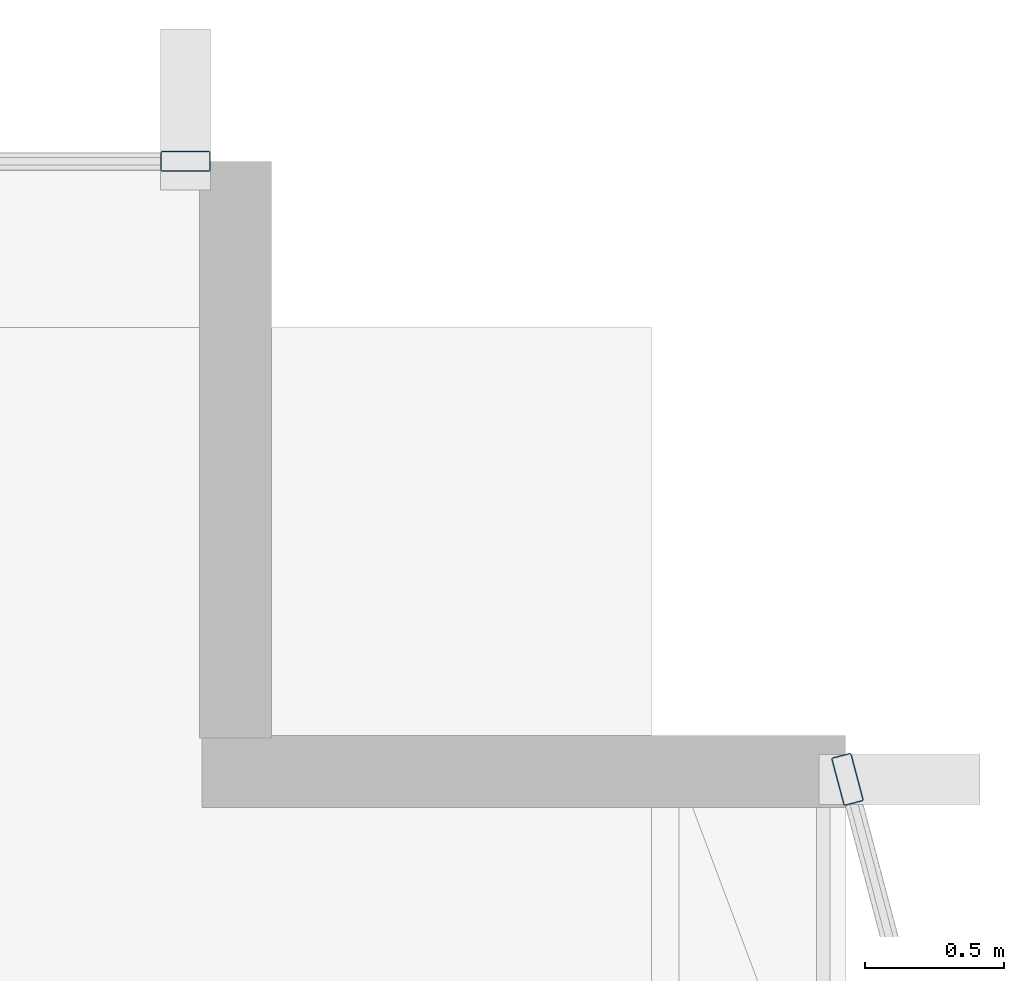
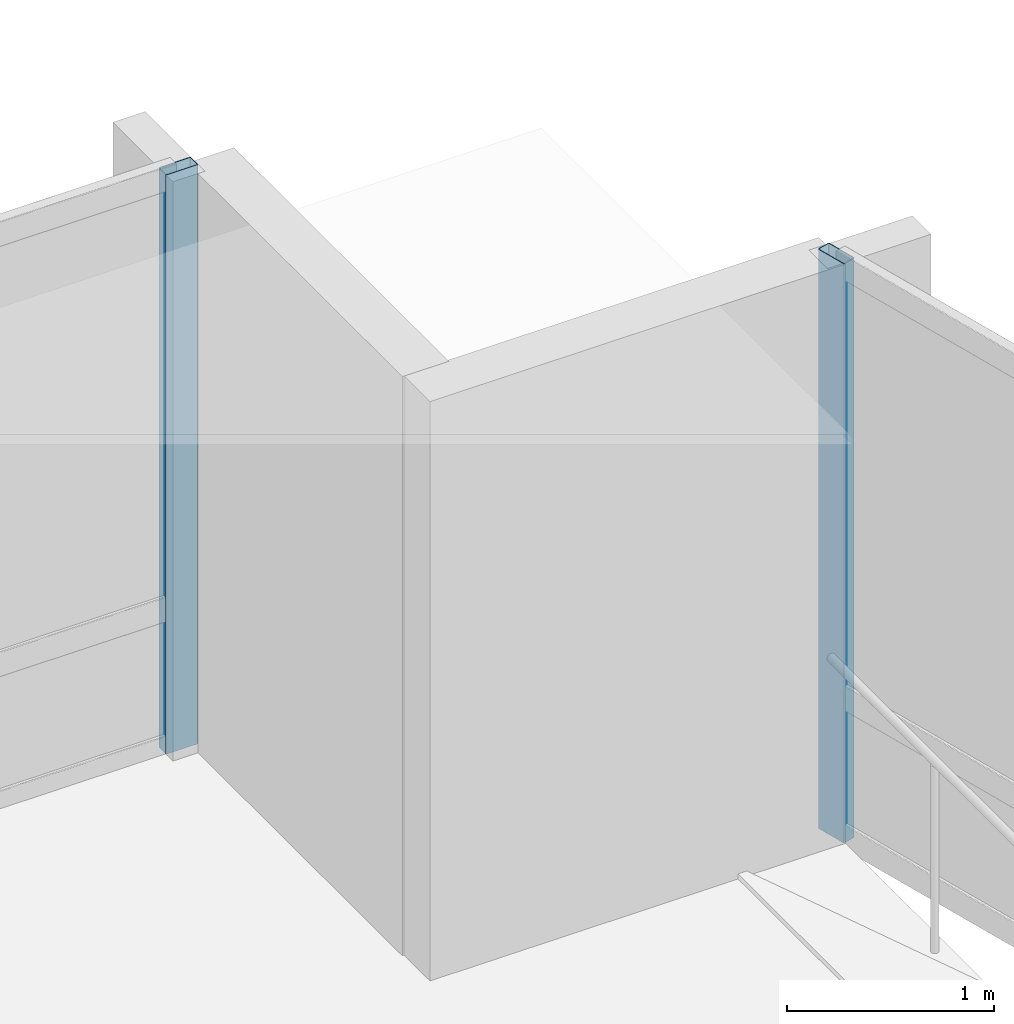
# One storey, part 14 of 27: 2 members, 2 elements without a shape of their own.
"""IFC4 building model written with IfcOpenShell, lengths in metres."""

from ifc_helpers import new_model, si_unit, direction, frame, origin, origin_2d, place, context, subcontext, project, spatial, hollow_rectangle, extrude, material, layer, layer_set, material_profile, profile_set, type_object, element, aggregate, save


model = new_model("IFC4")

# Units and contexts
model_context = context("Model", 3, precision=1e-05, world=origin(), true_north=direction((0.0, 1.0)))
body_context = subcontext(model_context, "Body", "Model", "MODEL_VIEW")
ifc_project = project(units=[si_unit("LENGTHUNIT", "METRE"), si_unit("AREAUNIT", "SQUARE_METRE"), si_unit("VOLUMEUNIT", "CUBIC_METRE"), si_unit("PLANEANGLEUNIT", "RADIAN"), si_unit("MASSUNIT", "GRAM", prefix="KILO")], contexts=[model_context])

# Site, building, storey
site_placement = place(None, origin())
site = spatial("IfcSite", under=ifc_project, at=site_placement, CompositionType="ELEMENT")
building_placement = place(site_placement, origin())
building = spatial("IfcBuilding", under=site, at=building_placement, Name="Solvaryn Broadcast Tower", CompositionType="ELEMENT")
storey_placement = place(building_placement, frame((0.0, 0.0, 189.0)))
storey = spatial("IfcBuildingStorey", under=building, at=storey_placement, Name="L47", CompositionType="ELEMENT", Elevation=189.0)

# Curtain wall, member
ifc_material_1 = material(Name="Aluminium and Terracotta Unitised Curtain Wall", Category="masonry")
ifc_layer = layer(ifc_material_1, 0.199951171875)
ifc_layer_set = layer_set([ifc_layer], Name="CW-SYS2-LOWMID")
curtain_wall_type = type_object("IfcCurtainWallType", Name="CW-SYS2-LOWMID", PredefinedType="NOTDEFINED", material=ifc_layer_set)
curtain_wall_1_placement = place(storey_placement, origin())
curtain_wall_1 = element("IfcCurtainWall", 1, at=curtain_wall_1_placement, inside=storey, type_object=curtain_wall_type, Name="L47 Curtain Wall ET1", PredefinedType="NOTDEFINED")
ifc_material_2 = material(Name="Anodised Aluminium 6063-T6", Category="aluminium")
ifc_material_profile = material_profile(ifc_material_2, hollow_rectangle(XDim=0.074951171875, YDim=0.179931640625, WallThickness=0.00390625, InnerFilletRadius=0.00390625, OuterFilletRadius=0.008056640625, at=origin_2d()))
ifc_profile_set = profile_set([ifc_material_profile], Name="Anodised Aluminium 6063-T6")
member_type = type_object("IfcMemberType", Name="CW-MUL-180", PredefinedType="MULLION", material=ifc_profile_set)
member_1_placement = place(storey_placement, frame((54.007568359375, 24.77099609375, 0.0), z_axis=(0.0, 0.0, 1.0), x_axis=(0.966705227863, 0.25589256031, 0.0)))
member_1 = element("IfcMember", 2, at=member_1_placement, type_object=member_type, Name="CWS2 mullion 1", PredefinedType="MULLION", context=body_context, shape_type="SweptSolid", body=[
    extrude(hollow_rectangle(XDim=0.074951171875, YDim=0.179931640625, WallThickness=0.00390625, InnerFilletRadius=0.00390625, OuterFilletRadius=0.008056640625, at=origin_2d()), origin(), (0.0, 0.0, 1.0), 3.419921875),
])
aggregate(curtain_wall_1, [member_1])

curtain_wall_2_placement = place(storey_placement, origin())
curtain_wall_2 = element("IfcCurtainWall", 3, at=curtain_wall_2_placement, inside=storey, type_object=curtain_wall_type, Name="L47 Curtain Wall IH", PredefinedType="NOTDEFINED")
member_2_placement = place(storey_placement, frame((51.6201171875, 27.0, 0.0), z_axis=(0.0, 0.0, 1.0), x_axis=(0.0, 1.0, 0.0)))
member_2 = element("IfcMember", 4, at=member_2_placement, type_object=member_type, Name="CWS2 mullion 2", PredefinedType="MULLION", context=body_context, shape_type="SweptSolid", body=[
    extrude(hollow_rectangle(XDim=0.074951171875, YDim=0.179931640625, WallThickness=0.00390625, InnerFilletRadius=0.00390625, OuterFilletRadius=0.008056640625, at=origin_2d()), origin(), (0.0, 0.0, 1.0), 3.419921875),
])
aggregate(curtain_wall_2, [member_2])

save(model, "model.ifc")
